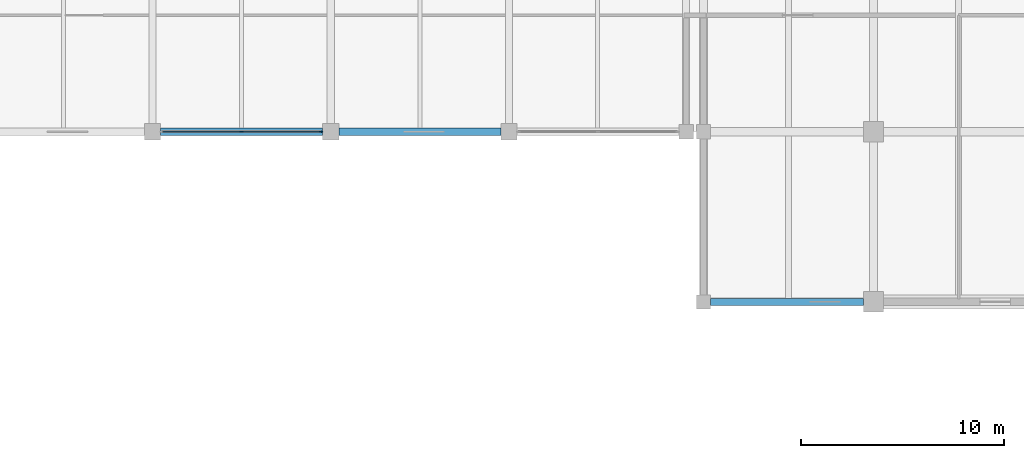
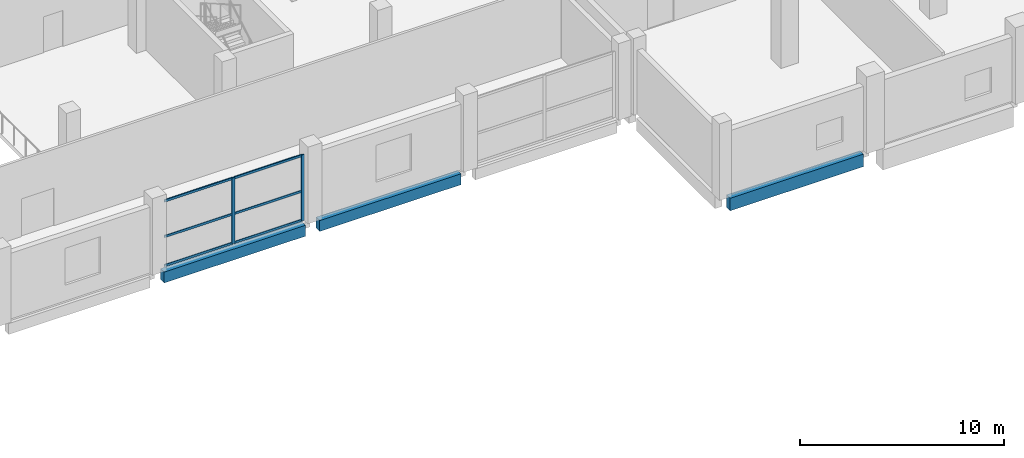
# One storey, part 9 of 31: 8 members, 3 beams, 1 element without a shape of its own.
"""IFC4 building model written with IfcOpenShell, lengths in metres."""

from ifc_helpers import new_model, si_unit, direction, frame, origin, origin_2d, place, context, subcontext, project, spatial, rectangle, extrude, material, material_profile, profile_set, type_object, element, aggregate, save


model = new_model("IFC4")

# Units and contexts
model_context = context("Model", 3, precision=1e-05, world=origin(), true_north=direction((0.0, 1.0)))
body_context = subcontext(model_context, "Body", "Model", "MODEL_VIEW")
ifc_project = project(units=[si_unit("LENGTHUNIT", "METRE"), si_unit("AREAUNIT", "SQUARE_METRE"), si_unit("VOLUMEUNIT", "CUBIC_METRE"), si_unit("PLANEANGLEUNIT", "RADIAN"), si_unit("MASSUNIT", "GRAM", prefix="KILO")], contexts=[model_context])

# Site, building, storey
site_placement = place(None, origin())
site = spatial("IfcSite", under=ifc_project, at=site_placement, CompositionType="ELEMENT")
building_placement = place(site_placement, origin())
building = spatial("IfcBuilding", under=site, at=building_placement, Name="Brinegate Botanical Conservatory", CompositionType="ELEMENT")
storey_placement = place(building_placement, frame((0.0, 0.0, 5.39990234375)))
storey = spatial("IfcBuildingStorey", under=building, at=storey_placement, Name="L02", CompositionType="ELEMENT", Elevation=5.39990234375)

# Beams
ifc_material_1 = material(Name="Concrete C40/50", Category="concrete")
ifc_material_profile_1 = material_profile(ifc_material_1, rectangle(XDim=0.35009765625, YDim=0.64990234375, at=origin_2d()), Name="RC BM 350x650")
ifc_profile_set_1 = profile_set([ifc_material_profile_1], Name="Concrete C40/50")
beam_type_1 = type_object("IfcBeamType", Name="Beam_BM-V3", PredefinedType="BEAM", material=ifc_profile_set_1)
for number, where, z_axis, x_axis, name in (
    (1, (95.199951171875, 86.800048828125, -0.544921875), (1.0, 0.0, 0.0), (0.0, 1.0, 0.0), "Beam BM-V3 L02 L:12-13"),
    (2, (104.0, 86.800048828125, -0.544921875), (1.0, 0.0, 0.0), (0.0, 1.0, 0.0), "Beam BM-V3 L02 L:13-14"),
):
    element("IfcBeam", number, at=place(storey_placement, frame(where, z_axis=z_axis, x_axis=x_axis)), inside=storey, type_object=beam_type_1, Name=name, PredefinedType="BEAM", context=body_context, shape_type="SweptSolid", body=[
        extrude(rectangle(XDim=0.35009765625, YDim=0.64990234375, at=origin_2d()), origin(), (0.0, 0.0, 1.0), 8.0),
    ])
ifc_material_profile_2 = material_profile(ifc_material_1, rectangle(XDim=0.35009765625, YDim=0.75, at=origin_2d()), Name="RC SPN 350x750")
ifc_profile_set_2 = profile_set([ifc_material_profile_2], Name="Concrete C40/50")
beam_type_2 = type_object("IfcBeamType", Name="Beam_SP-01", PredefinedType="SPANDREL", material=ifc_profile_set_2)
beam_placement = place(storey_placement, frame((122.35009765625, 78.39990234375, -0.594970703125), z_axis=(1.0, 0.0, 0.0), x_axis=(0.0, 1.0, 0.0)))
element("IfcBeam", 3, at=beam_placement, inside=storey, type_object=beam_type_2, Name="Beam SP-01 L02 K:16-17", PredefinedType="SPANDREL", context=body_context, shape_type="SweptSolid", body=[
    extrude(rectangle(XDim=0.35009765625, YDim=0.75, at=origin_2d()), origin(), (0.0, 0.0, 1.0), 7.5498046875),
])

# Curtain wall, members
ifc_material_2 = material(Name="Thermally broken anodised aluminium AW-6063-T6", Category="aluminium")
curtain_wall_type = type_object("IfcCurtainWallType", Name="CW_CW-V3", PredefinedType="USERDEFINED", material=ifc_material_2)
curtain_wall_placement = place(storey_placement, origin())
curtain_wall = element("IfcCurtainWall", 4, at=curtain_wall_placement, inside=storey, type_object=curtain_wall_type, Name="Visitor south court curtain wall L02.6", ObjectType="FACTORY CURTAIN WALL", PredefinedType="USERDEFINED")
ifc_material_profile_3 = material_profile(ifc_material_2, rectangle(XDim=0.06494140625, YDim=0.179931640625, at=origin_2d()), Name="ALUM MULLION 65x180")
ifc_profile_set_3 = profile_set([ifc_material_profile_3], Name="Thermally broken anodised aluminium AW-6063-T6")
member_type_1 = type_object("IfcMemberType", Name="Member_ML-02", PredefinedType="MULLION", material=ifc_profile_set_3)
member_1_placement = place(storey_placement, frame((103.12744140625, 86.800048828125, 0.0), z_axis=(0.0, 0.0, 1.0), x_axis=(0.0, -1.0, 0.0)))
member_1 = element("IfcMember", 5, at=member_1_placement, type_object=member_type_1, Name="CW-V3 mullion 1", PredefinedType="MULLION", context=body_context, shape_type="SweptSolid", body=[
    extrude(rectangle(XDim=0.06494140625, YDim=0.179931640625, at=origin_2d()), origin(), (0.0, 0.0, 1.0), 3.93017578125),
])
member_2_placement = place(storey_placement, frame((99.199951171875, 86.800048828125, 0.0), z_axis=(0.0, 0.0, 1.0), x_axis=(0.0, -1.0, 0.0)))
member_2 = element("IfcMember", 6, at=member_2_placement, type_object=member_type_1, Name="CW-V3 mullion 2", PredefinedType="MULLION", context=body_context, shape_type="SweptSolid", body=[
    extrude(rectangle(XDim=0.06494140625, YDim=0.179931640625, at=origin_2d()), origin(), (0.0, 0.0, 1.0), 3.93017578125),
])
ifc_material_profile_4 = material_profile(ifc_material_2, rectangle(XDim=0.06494140625, YDim=0.135009765625, at=origin_2d()), Name="ALUM TRANSOM 65x135")
ifc_profile_set_4 = profile_set([ifc_material_profile_4], Name="Thermally broken anodised aluminium AW-6063-T6")
member_type_2 = type_object("IfcMemberType", Name="Member_TR-02", PredefinedType="USERDEFINED", material=ifc_profile_set_4)
member_3_placement = place(storey_placement, frame((103.094970703125, 86.800048828125, 0.03271484375), z_axis=(-1.0, 0.0, 0.0), x_axis=(0.0, -1.0, 0.0)))
member_3 = element("IfcMember", 7, at=member_3_placement, type_object=member_type_2, Name="CW-V3 transom 1.1", ObjectType="TRANSOM", PredefinedType="USERDEFINED", context=body_context, shape_type="SweptSolid", body=[
    extrude(rectangle(XDim=0.06494140625, YDim=0.135009765625, at=origin_2d()), origin(), (0.0, 0.0, 1.0), 3.862548828125),
])
member_4_placement = place(storey_placement, frame((103.094970703125, 86.800048828125, 1.76806640625), z_axis=(-1.0, 0.0, 0.0), x_axis=(0.0, -1.0, 0.0)))
member_4 = element("IfcMember", 8, at=member_4_placement, type_object=member_type_2, Name="CW-V3 transom 1.2", ObjectType="TRANSOM", PredefinedType="USERDEFINED", context=body_context, shape_type="SweptSolid", body=[
    extrude(rectangle(XDim=0.06494140625, YDim=0.135009765625, at=origin_2d()), origin(), (0.0, 0.0, 1.0), 3.862548828125),
])
member_5_placement = place(storey_placement, frame((103.094970703125, 86.800048828125, 3.897705078125), z_axis=(-1.0, 0.0, 0.0), x_axis=(0.0, -1.0, 0.0)))
member_5 = element("IfcMember", 9, at=member_5_placement, type_object=member_type_2, Name="CW-V3 transom 1.3", ObjectType="TRANSOM", PredefinedType="USERDEFINED", context=body_context, shape_type="SweptSolid", body=[
    extrude(rectangle(XDim=0.06494140625, YDim=0.135009765625, at=origin_2d()), origin(), (0.0, 0.0, 1.0), 3.862548828125),
])
member_6_placement = place(storey_placement, frame((99.16748046875, 86.800048828125, 0.03271484375), z_axis=(-1.0, 0.0, 0.0), x_axis=(0.0, -1.0, 0.0)))
member_6 = element("IfcMember", 10, at=member_6_placement, type_object=member_type_2, Name="CW-V3 transom 2.1", ObjectType="TRANSOM", PredefinedType="USERDEFINED", context=body_context, shape_type="SweptSolid", body=[
    extrude(rectangle(XDim=0.06494140625, YDim=0.135009765625, at=origin_2d()), origin(), (0.0, 0.0, 1.0), 3.862548828125),
])
member_7_placement = place(storey_placement, frame((99.16748046875, 86.800048828125, 1.76806640625), z_axis=(-1.0, 0.0, 0.0), x_axis=(0.0, -1.0, 0.0)))
member_7 = element("IfcMember", 11, at=member_7_placement, type_object=member_type_2, Name="CW-V3 transom 2.2", ObjectType="TRANSOM", PredefinedType="USERDEFINED", context=body_context, shape_type="SweptSolid", body=[
    extrude(rectangle(XDim=0.06494140625, YDim=0.135009765625, at=origin_2d()), origin(), (0.0, 0.0, 1.0), 3.862548828125),
])
member_8_placement = place(storey_placement, frame((99.16748046875, 86.800048828125, 3.897705078125), z_axis=(-1.0, 0.0, 0.0), x_axis=(0.0, -1.0, 0.0)))
member_8 = element("IfcMember", 12, at=member_8_placement, type_object=member_type_2, Name="CW-V3 transom 2.3", ObjectType="TRANSOM", PredefinedType="USERDEFINED", context=body_context, shape_type="SweptSolid", body=[
    extrude(rectangle(XDim=0.06494140625, YDim=0.135009765625, at=origin_2d()), origin(), (0.0, 0.0, 1.0), 3.862548828125),
])
aggregate(curtain_wall, [member_1, member_2, member_3, member_4, member_5, member_6, member_7, member_8])

save(model, "model.ifc")
